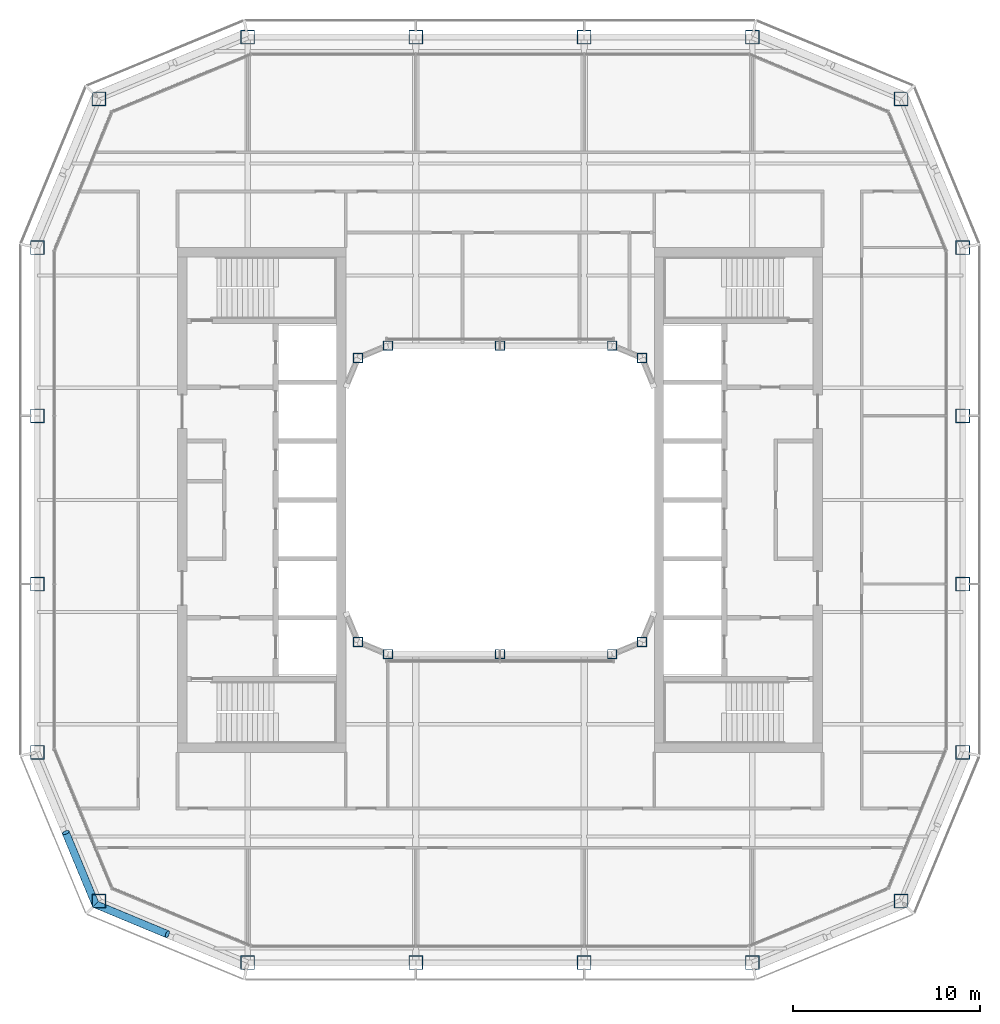
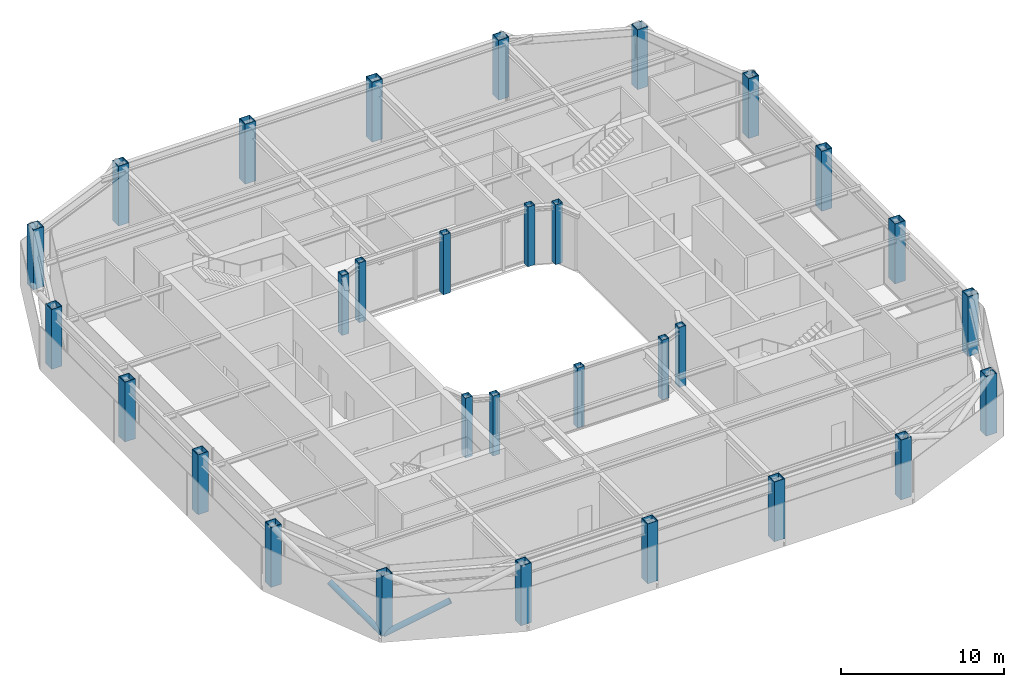
# One storey, part 1 of 17: 30 columns, 2 members.
"""IFC4 building model written with IfcOpenShell, lengths in metres."""

from ifc_helpers import new_model, si_unit, direction, frame, origin, origin_2d, place, context, subcontext, project, spatial, hollow_rectangle, hollow_circle, extrude, material, material_profile, profile_set, type_object, element, save


model = new_model("IFC4")

# Units and contexts
model_context = context("Model", 3, precision=1e-05, world=origin(), true_north=direction((0.0, 1.0)))
body_context = subcontext(model_context, "Body", "Model", "MODEL_VIEW")
ifc_project = project(units=[si_unit("LENGTHUNIT", "METRE"), si_unit("AREAUNIT", "SQUARE_METRE"), si_unit("VOLUMEUNIT", "CUBIC_METRE"), si_unit("PLANEANGLEUNIT", "RADIAN"), si_unit("MASSUNIT", "GRAM", prefix="KILO")], contexts=[model_context])

# Site, building, storey
site_placement = place(None, origin())
site = spatial("IfcSite", under=ifc_project, at=site_placement, CompositionType="ELEMENT")
building_placement = place(site_placement, origin())
building = spatial("IfcBuilding", under=site, at=building_placement, Name="Siwar Civic Tower", CompositionType="ELEMENT")
storey_placement = place(building_placement, frame((0.0, 0.0, 289.699951171875)))
storey = spatial("IfcBuildingStorey", under=building, at=storey_placement, Name="L62", CompositionType="ELEMENT", Elevation=289.699951171875)

# Columns
ifc_material_1 = material(Name="Steel S355", Category="steel")
ifc_material_profile_1 = material_profile(ifc_material_1, hollow_rectangle(XDim=0.75, YDim=0.75, WallThickness=0.0400390625, at=origin_2d()), Name="BOX750x750x40")
ifc_profile_set_1 = profile_set([ifc_material_profile_1], Name="Steel S355")
column_type_1 = type_object("IfcColumnType", Name="STR-COL-BOX750x750x40", PredefinedType="COLUMN", material=ifc_profile_set_1)
for number, where, z_axis, x_axis, name in (
    (1, (-13.5, -24.75, 0.0), (0.0, 0.0, 1.0), (1.0, 0.0, 0.0), "L62/col/S-0"),
    (2, (-4.5, -24.75, 0.0), (0.0, 0.0, 1.0), (1.0, 0.0, 0.0), "L62/col/S-1"),
    (3, (4.5, -24.75, 0.0), (0.0, 0.0, 1.0), (1.0, 0.0, 0.0), "L62/col/S-2"),
    (4, (13.5, -24.75, 0.0), (0.0, 0.0, 1.0), (1.0, 0.0, 0.0), "L62/col/SE1-0"),
    (5, (21.454833984375, -21.454833984375, 0.0), (0.0, 0.0, 1.0), (1.0, 0.0, 0.0), "L62/col/SE2-0"),
    (6, (24.75, -13.5, 0.0), (0.0, 0.0, 1.0), (1.0, 0.0, 0.0), "L62/col/E-0"),
    (7, (24.75, -4.5, 0.0), (0.0, 0.0, 1.0), (1.0, 0.0, 0.0), "L62/col/E-1"),
    (8, (24.75, 4.5, 0.0), (0.0, 0.0, 1.0), (1.0, 0.0, 0.0), "L62/col/E-2"),
    (9, (24.75, 13.5, 0.0), (0.0, 0.0, 1.0), (1.0, 0.0, 0.0), "L62/col/NE1-0"),
    (10, (21.454833984375, 21.454833984375, 0.0), (0.0, 0.0, 1.0), (1.0, 0.0, 0.0), "L62/col/NE2-0"),
    (11, (13.5, 24.75, 0.0), (0.0, 0.0, 1.0), (1.0, 0.0, 0.0), "L62/col/N-0"),
    (12, (4.5, 24.75, 0.0), (0.0, 0.0, 1.0), (1.0, 0.0, 0.0), "L62/col/N-1"),
    (13, (-4.5, 24.75, 0.0), (0.0, 0.0, 1.0), (1.0, 0.0, 0.0), "L62/col/N-2"),
    (14, (-13.5, 24.75, 0.0), (0.0, 0.0, 1.0), (1.0, 0.0, 0.0), "L62/col/NW1-0"),
    (15, (-21.454833984375, 21.454833984375, 0.0), (0.0, 0.0, 1.0), (1.0, 0.0, 0.0), "L62/col/NW2-0"),
    (16, (-24.75, 13.5, 0.0), (0.0, 0.0, 1.0), (1.0, 0.0, 0.0), "L62/col/W-0"),
    (17, (-24.75, 4.5, 0.0), (0.0, 0.0, 1.0), (1.0, 0.0, 0.0), "L62/col/W-1"),
    (18, (-24.75, -4.5, 0.0), (0.0, 0.0, 1.0), (1.0, 0.0, 0.0), "L62/col/W-2"),
    (19, (-24.75, -13.5, 0.0), (0.0, 0.0, 1.0), (1.0, 0.0, 0.0), "L62/col/SW1-0"),
    (20, (-21.454833984375, -21.454833984375, 0.0), (0.0, 0.0, 1.0), (1.0, 0.0, 0.0), "L62/col/SW2-0"),
):
    element("IfcColumn", number, at=place(storey_placement, frame(where, z_axis=z_axis, x_axis=x_axis)), inside=storey, type_object=column_type_1, Name=name, PredefinedType="COLUMN", context=body_context, shape_type="SweptSolid", body=[
        extrude(hollow_rectangle(XDim=0.75, YDim=0.75, WallThickness=0.0400390625, at=origin_2d()), origin(), (0.0, 0.0, 1.0), 4.5),
    ])
ifc_material_2 = material(Name="Steel S355", Category="steel")
ifc_material_profile_2 = material_profile(ifc_material_2, hollow_rectangle(XDim=0.5, YDim=0.5, WallThickness=0.02490234375, at=origin_2d()), Name="BOX500x500x25")
ifc_profile_set_2 = profile_set([ifc_material_profile_2], Name="Steel S355")
column_type_2 = type_object("IfcColumnType", Name="STR-ICOL-BOX500x500x25", PredefinedType="COLUMN", material=ifc_profile_set_2)
for number, where, z_axis, x_axis, name in (
    (21, (-7.591064453125, -7.591064453125, 0.0), (0.0, 0.0, 1.0), (1.0, 0.0, 0.0), "L62/col/IS-0"),
    (22, (-6.0, -8.25, 0.0), (0.0, 0.0, 1.0), (1.0, 0.0, 0.0), "L62/col/IS-1"),
    (23, (0.0, -8.25, 0.0), (0.0, 0.0, 1.0), (1.0, 0.0, 0.0), "L62/col/IS-2"),
    (24, (6.0, -8.25, 0.0), (0.0, 0.0, 1.0), (1.0, 0.0, 0.0), "L62/col/IS-3"),
    (25, (7.591064453125, -7.591064453125, 0.0), (0.0, 0.0, 1.0), (1.0, 0.0, 0.0), "L62/col/IS-4"),
    (26, (-7.591064453125, 7.591064453125, 0.0), (0.0, 0.0, 1.0), (1.0, 0.0, 0.0), "L62/col/IN-0"),
    (27, (-6.0, 8.25, 0.0), (0.0, 0.0, 1.0), (1.0, 0.0, 0.0), "L62/col/IN-1"),
    (28, (0.0, 8.25, 0.0), (0.0, 0.0, 1.0), (1.0, 0.0, 0.0), "L62/col/IN-2"),
    (29, (6.0, 8.25, 0.0), (0.0, 0.0, 1.0), (1.0, 0.0, 0.0), "L62/col/IN-3"),
    (30, (7.591064453125, 7.591064453125, 0.0), (0.0, 0.0, 1.0), (1.0, 0.0, 0.0), "L62/col/IN-4"),
):
    element("IfcColumn", number, at=place(storey_placement, frame(where, z_axis=z_axis, x_axis=x_axis)), inside=storey, type_object=column_type_2, Name=name, PredefinedType="COLUMN", context=body_context, shape_type="SweptSolid", body=[
        extrude(hollow_rectangle(XDim=0.5, YDim=0.5, WallThickness=0.02490234375, at=origin_2d()), origin(), (0.0, 0.0, 1.0), 4.5),
    ])

# Members
ifc_material_3 = material(Name="Steel S355", Category="steel")
ifc_material_profile_3 = material_profile(ifc_material_3, hollow_circle(Radius=0.203125, WallThickness=0.01611328125, at=origin_2d()), Name="CHS406.4x16")
ifc_profile_set_3 = profile_set([ifc_material_profile_3], Name="Steel S355")
member_type = type_object("IfcMemberType", Name="STR-BR-CHS406.4x16", PredefinedType="BRACE", material=ifc_profile_set_3)
for number, where, z_axis, x_axis, name in (
    (31, (-21.6318359375, -21.6318359375, 0.0), (0.821147096886, -0.341644380467, 0.457161418507), (0.38413607648, 0.923276488787, 0.0), "L62/brc/DSW1-1-0-2"),
    (32, (-21.6318359375, -21.6318359375, 0.0), (-0.341644380467, 0.821147096886, 0.457161418507), (-0.923276488787, -0.38413607648, 0.0), "L62/brc/DSW1-1-0-4"),
):
    element("IfcMember", number, at=place(storey_placement, frame(where, z_axis=z_axis, x_axis=x_axis)), inside=storey, type_object=member_type, Name=name, PredefinedType="BRACE", context=body_context, shape_type="SweptSolid", body=[
        extrude(hollow_circle(Radius=0.203125, WallThickness=0.01611328125, at=origin_2d()), origin(), (0.0, 0.0, 1.0), 4.677001953125),
    ])

save(model, "model.ifc")
